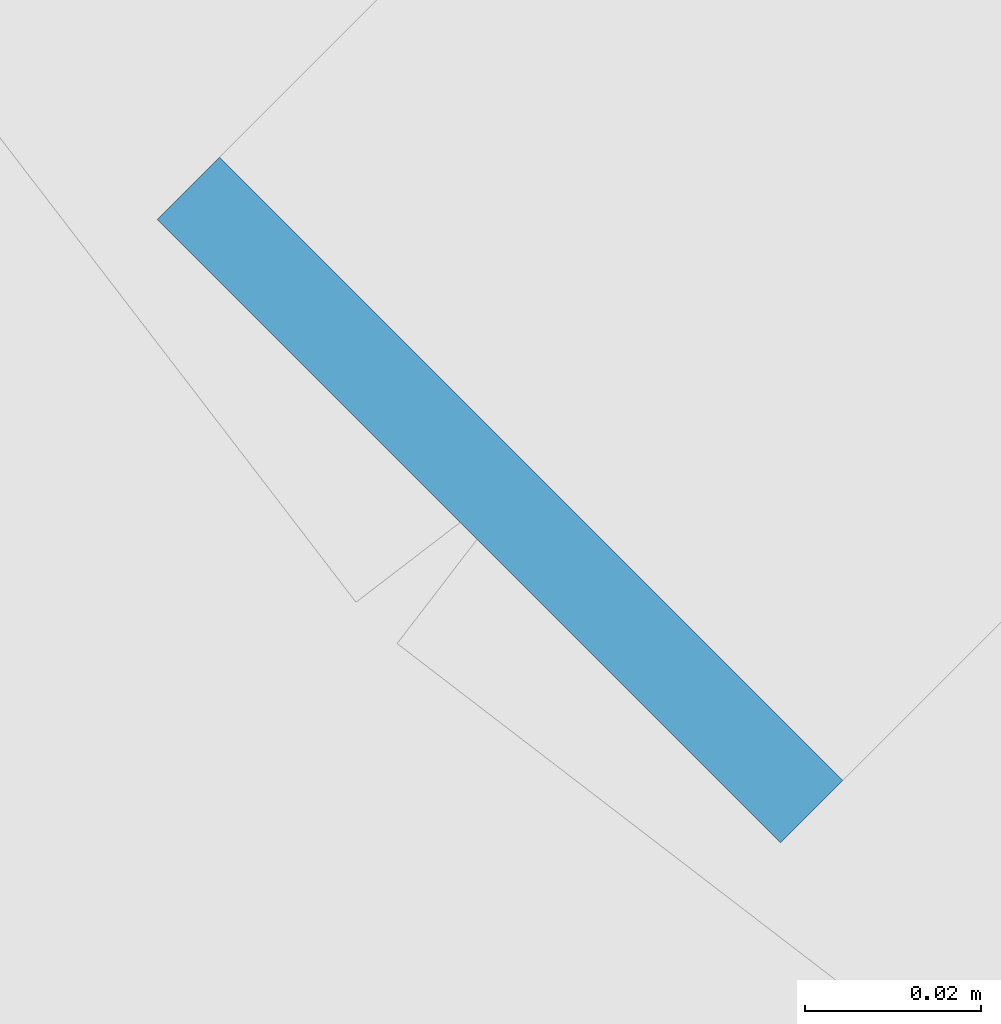
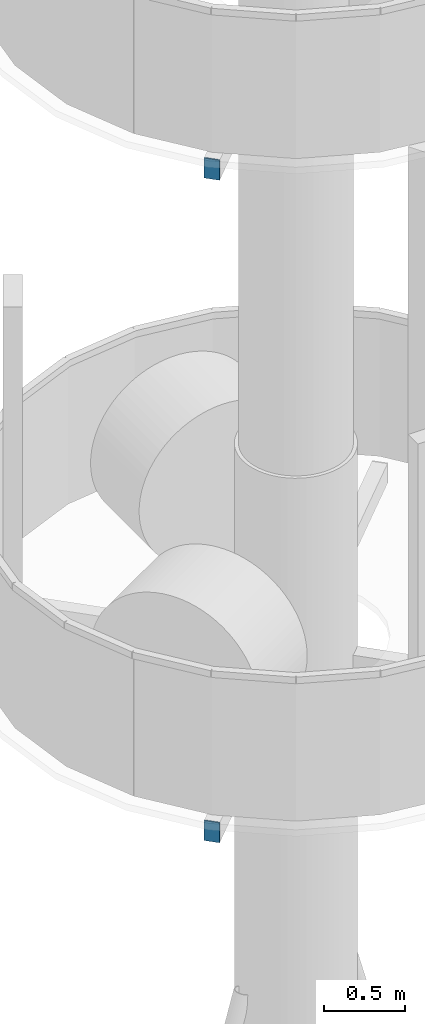
# One storey, part 15 of 25: 2 discrete accessories.
"""IFC4 building model written with IfcOpenShell, lengths in metres."""

import ifcopenshell
import ifcopenshell.guid

model = None  # the IFC model being written
_history = None  # IfcOwnerHistory: only IFC2X3 demands one
_inside = {}  # id of a spatial element -> (the spatial element, [elements in it])
_under = {}  # id of a project, library or spatial element -> (it, [spatial elements below it])
_declared = {}  # id of a project -> (the project, [libraries it declares])
_typed = {}  # id of a type object -> (the type object, [elements of that type])
_made_of = {}  # id of a material, layer set ... -> (it, [elements and type objects made of it])


def new_model(schema):
    """Start an empty IFC model of exactly this schema.

    Asked for "IFC4X3", IfcOpenShell would pick the latest addendum, in which some entities
    have other attributes; the version numbers below select the first issue.
    IFC2X3 requires an IfcOwnerHistory on every rooted entity: one is made here for all.
    """
    global model, _history
    if schema == "IFC4X3":
        model = ifcopenshell.file(schema_version=(4, 3, 0, 0))
    else:
        model = ifcopenshell.file(schema=schema)
    _inside.clear()
    _under.clear()
    _declared.clear()
    _typed.clear()
    _made_of.clear()
    _history = None
    if model.schema == "IFC2X3":
        org = make("IfcOrganization", Name="unknown")
        user = make(
            "IfcPersonAndOrganization",
            ThePerson=make("IfcPerson", FamilyName="unknown"),
            TheOrganization=org,
        )
        app = make(
            "IfcApplication",
            ApplicationDeveloper=org,
            Version="unknown",
            ApplicationFullName="unknown",
            ApplicationIdentifier="unknown",
        )
        _history = make(
            "IfcOwnerHistory",
            OwningUser=user,
            OwningApplication=app,
            ChangeAction="ADDED",
            CreationDate=0,
        )
    return model


def make(cls, **values):
    """One entity of the class cls with the attributes given. An attribute that is None is left unset."""
    return model.create_entity(
        cls, **{name: value for name, value in values.items() if value is not None}
    )


def rooted(cls, **values):
    """An entity with a GlobalId (a new one), such as an element, a storey or a relation."""
    return make(cls, GlobalId=ifcopenshell.guid.new(), OwnerHistory=_history, **values)


def si_unit(unit_type, name, prefix=None):
    """IfcSIUnit, for example si_unit("LENGTHUNIT", "METRE", prefix="MILLI")."""
    return make("IfcSIUnit", UnitType=unit_type, Prefix=prefix, Name=name)


def assignment(units):
    """IfcUnitAssignment: the units of a project."""
    return None if units is None else make("IfcUnitAssignment", Units=units)


def point(xyz):
    """IfcCartesianPoint."""
    return None if xyz is None else make("IfcCartesianPoint", Coordinates=xyz)


def direction(xyz):
    """IfcDirection."""
    return None if xyz is None else make("IfcDirection", DirectionRatios=xyz)


def frame(location, z_axis=None, x_axis=None):
    """IfcAxis2Placement3D, a coordinate frame: its origin and axes. An axis left out is left unset."""
    return make(
        "IfcAxis2Placement3D",
        Location=point(location),
        Axis=direction(z_axis),
        RefDirection=direction(x_axis),
    )


def frame_2d(location, x_axis=None):
    """IfcAxis2Placement2D, a coordinate frame in the plane: its origin and x axis."""
    return make(
        "IfcAxis2Placement2D", Location=point(location), RefDirection=direction(x_axis)
    )


def origin():
    """The frame at (0, 0, 0) with its axes left unset."""
    return frame((0.0, 0.0, 0.0))


def origin_2d():
    """The frame at (0, 0) in the plane with its x axis left unset."""
    return frame_2d((0.0, 0.0))


def place(relative_to, where):
    """IfcLocalPlacement: puts the frame where relative to a parent placement (None: the world)."""
    return make(
        "IfcLocalPlacement", PlacementRelTo=relative_to, RelativePlacement=where
    )


def context(
    kind, dimensions, precision=None, world=None, true_north=None, identifier=None
):
    """IfcGeometricRepresentationContext, for example the 3D "Model" context."""
    return make(
        "IfcGeometricRepresentationContext",
        ContextIdentifier=identifier,
        ContextType=kind,
        CoordinateSpaceDimension=dimensions,
        Precision=precision,
        WorldCoordinateSystem=world,
        TrueNorth=true_north,
    )


def subcontext(parent, identifier, kind, view, scale=None):
    """IfcGeometricRepresentationSubContext, for example "Body" below "Model"."""
    return make(
        "IfcGeometricRepresentationSubContext",
        ContextIdentifier=identifier,
        ContextType=kind,
        ParentContext=parent,
        TargetScale=scale,
        TargetView=view,
    )


def project(units=None, contexts=None):
    """IfcProject with its units and contexts."""
    return rooted(
        "IfcProject",
        Name="project",
        RepresentationContexts=contexts,
        UnitsInContext=assignment(units),
    )


def spatial(cls, under=None, at=None, **own):
    """A site, building, storey or space (cls), placed at a placement, below another one or the project."""
    s = rooted(cls, ObjectPlacement=at, **own)
    if under is not None:
        _under.setdefault(under.id(), (under, []))[1].append(s)
    return s


def profile(cls, at=None, kind="AREA", **sizes):
    """A parametric profile (cls). Its sizes go by their IFC names, for example OverallWidth=200.0."""
    return make(cls, ProfileType=kind, Position=at, **sizes)


def rectangle(**sizes):
    """IfcRectangleProfileDef."""
    return profile("IfcRectangleProfileDef", **sizes)


def extrude(swept, where, along, depth):
    """IfcExtrudedAreaSolid: the profile swept, set in the frame where, extruded along a direction by depth."""
    return make(
        "IfcExtrudedAreaSolid",
        SweptArea=swept,
        Position=where,
        ExtrudedDirection=direction(along),
        Depth=depth,
    )


def shape(context_of_items, identifier, shape_type, items):
    """IfcShapeRepresentation: the items that make up one representation, for example the "Body"."""
    return make(
        "IfcShapeRepresentation",
        ContextOfItems=context_of_items,
        RepresentationIdentifier=identifier,
        RepresentationType=shape_type,
        Items=items,
    )


def made_of(thing, what):
    """Note that an element or type object is made of a material, layer set ...; save() writes the relation."""
    if what is not None:
        _made_of.setdefault(what.id(), (what, []))[1].append(thing)
    return thing


def element(
    cls,
    number,
    at=None,
    inside=None,
    cuts=None,
    type_object=None,
    material=None,
    context=None,
    identifier="Body",
    shape_type=None,
    held_by="IfcProductDefinitionShape",
    body=None,
    shapes=None,
    **own,
):
    """One element of the class cls, such as IfcWall. Its Tag is "e" and its number.

    at: its placement. inside: the storey or other place that contains it. cuts: it is an
    opening in that element (IfcRelVoidsElement). A single representation is given by context,
    identifier, shape_type and body (its items); several are given by shapes. held_by: the class
    of the entity that holds the representations. save() writes the other relations.
    """
    e = rooted(cls, Tag="e%d" % number, ObjectPlacement=at, **own)
    if body is not None:
        shapes = [shape(context, identifier, shape_type, body)]
    if shapes is not None:
        e.Representation = make(held_by, Representations=shapes)
    if inside is not None:
        _inside.setdefault(inside.id(), (inside, []))[1].append(e)
    if cuts is not None:
        rooted(
            "IfcRelVoidsElement", RelatingBuildingElement=cuts, RelatedOpeningElement=e
        )
    if type_object is not None:
        _typed.setdefault(type_object.id(), (type_object, []))[1].append(e)
    return made_of(e, material)


def aggregate(whole, parts):
    """IfcRelAggregates: a whole, such as a stair, and the parts it consists of."""
    return rooted("IfcRelAggregates", RelatingObject=whole, RelatedObjects=parts)


def save(model, path):
    """Write the relations noted so far, then the file.

    IfcRelAggregates (storeys below a building ...), IfcRelContainedInSpatialStructure (elements
    in a storey), IfcRelDefinesByType, IfcRelAssociatesMaterial and IfcRelDeclares: one each for
    every whole, place, type object, material and project.
    """
    for whole, parts in _under.values():
        aggregate(whole, parts)
    for where, things in _inside.values():
        rooted(
            "IfcRelContainedInSpatialStructure",
            RelatedElements=things,
            RelatingStructure=where,
        )
    for kind, things in _typed.values():
        rooted("IfcRelDefinesByType", RelatedObjects=things, RelatingType=kind)
    for what, things in _made_of.values():
        rooted("IfcRelAssociatesMaterial", RelatedObjects=things, RelatingMaterial=what)
    for by, libraries in _declared.values():
        rooted("IfcRelDeclares", RelatingContext=by, RelatedDefinitions=libraries)
    model.write(path)


model = new_model("IFC4")

# Units and contexts
model_context = context("Model", 3, precision=1e-05, world=origin(), true_north=direction((0.0, 1.0)))
body_context = subcontext(model_context, "Body", "Model", "MODEL_VIEW")
ifc_project = project(units=[si_unit("LENGTHUNIT", "METRE"), si_unit("AREAUNIT", "SQUARE_METRE"), si_unit("VOLUMEUNIT", "CUBIC_METRE"), si_unit("PLANEANGLEUNIT", "RADIAN"), si_unit("MASSUNIT", "GRAM", prefix="KILO")], contexts=[model_context])

# Site, building, storey
site_placement = place(None, origin())
site = spatial("IfcSite", under=ifc_project, at=site_placement, CompositionType="ELEMENT")
building_placement = place(site_placement, origin())
building = spatial("IfcBuilding", under=site, at=building_placement, Name="Kolab Exchange Tower", CompositionType="ELEMENT")
storey_placement = place(building_placement, frame((0.0, 0.0, 301.89990234375)))
storey = spatial("IfcBuildingStorey", under=building, at=storey_placement, Name="L68", CompositionType="ELEMENT", Elevation=301.89990234375)

# Discrete accessories
for number, where, z_axis, x_axis, name in (
    (1, (-1.414306640625, 12.8134765625, 42.706298828125), (-0.707106781187, -0.707106781187, 0.0), (0.707106781187, -0.707106781187, 0.0), "Mast platform arm cap plate"),
    (2, (-1.414306640625, 12.8134765625, 47.706298828125), (-0.707106781187, -0.707106781187, 0.0), (0.707106781187, -0.707106781187, 0.0), "Mast platform arm cap plate"),
):
    element("IfcDiscreteAccessory", number, at=place(storey_placement, frame(where, z_axis=z_axis, x_axis=x_axis)), inside=storey, Name=name, ObjectType="END CAP PLATE", PredefinedType="USERDEFINED", context=body_context, shape_type="SweptSolid", body=[
        extrude(rectangle(XDim=0.10009765625, YDim=0.14990234375, at=origin_2d()), origin(), (0.0, 0.0, 1.0), 0.010009765625),
    ])

save(model, "model.ifc")
